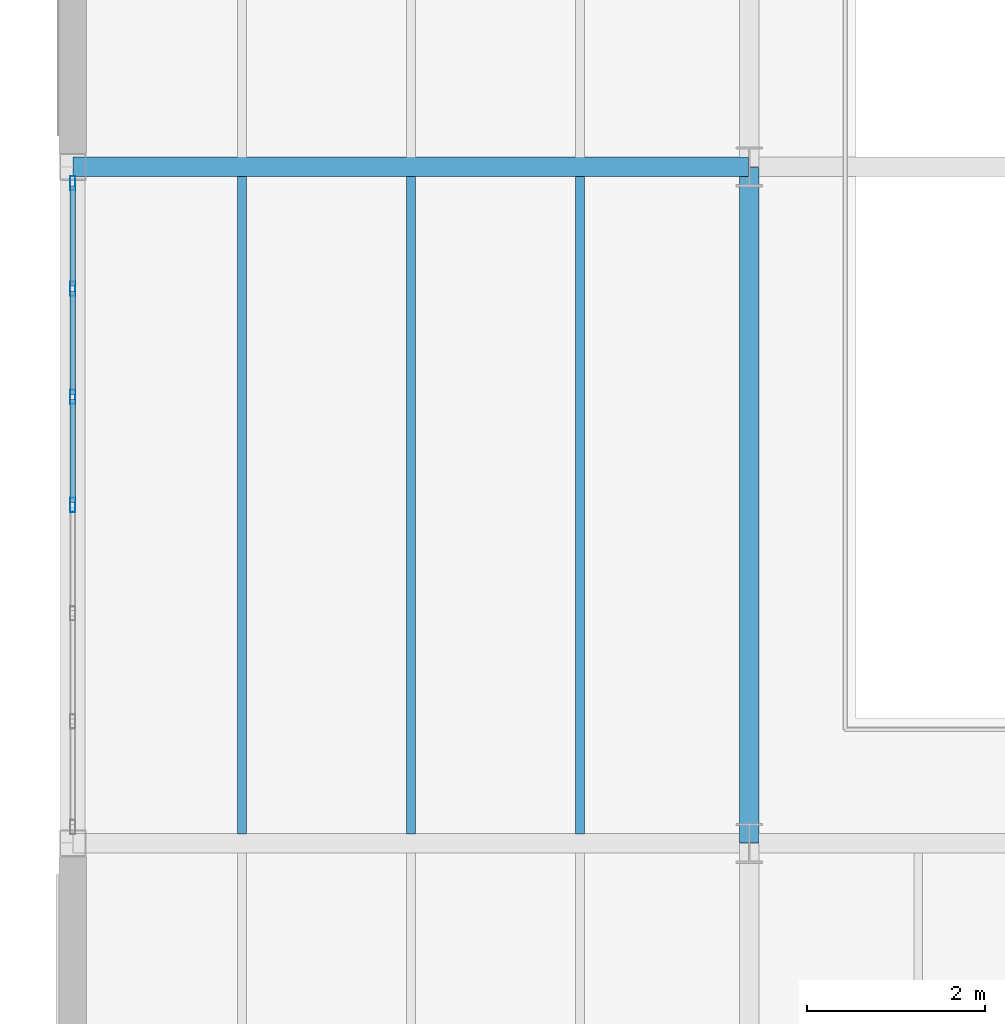
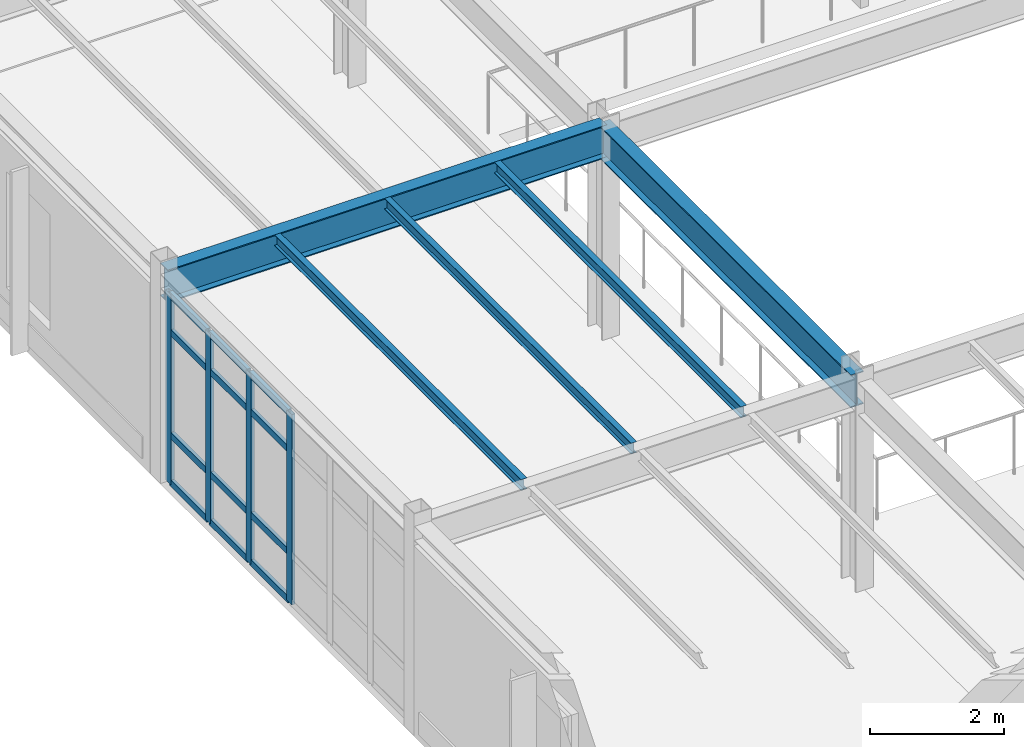
# One storey, part 67 of 165: 16 members, 5 beams, 1 element without a shape of its own.
"""IFC4 building model written with IfcOpenShell, lengths in metres."""

from ifc_helpers import new_model, si_unit, direction, frame, origin, origin_2d, place, context, subcontext, project, spatial, hollow_rectangle, i_section, extrude, material, layer, layer_set, material_profile, profile_set, type_object, element, aggregate, save


model = new_model("IFC4")

# Units and contexts
model_context = context("Model", 3, precision=1e-05, world=origin(), true_north=direction((0.0, 1.0)))
body_context = subcontext(model_context, "Body", "Model", "MODEL_VIEW")
ifc_project = project(units=[si_unit("LENGTHUNIT", "METRE"), si_unit("AREAUNIT", "SQUARE_METRE"), si_unit("VOLUMEUNIT", "CUBIC_METRE"), si_unit("PLANEANGLEUNIT", "RADIAN"), si_unit("MASSUNIT", "GRAM", prefix="KILO")], contexts=[model_context])

# Site, building, storey
site_placement = place(None, origin())
site = spatial("IfcSite", under=ifc_project, at=site_placement, CompositionType="ELEMENT")
building_placement = place(site_placement, origin())
building = spatial("IfcBuilding", under=site, at=building_placement, Name="Montecoro Central Library", CompositionType="ELEMENT")
storey_placement = place(building_placement, frame((0.0, 0.0, 5.10009765625)))
storey = spatial("IfcBuildingStorey", under=building, at=storey_placement, Name="L01", CompositionType="ELEMENT", Elevation=5.10009765625)

# Beams
ifc_material_1 = material(Name="Steel S355J2", Category="steel")
ifc_material_profile_1 = material_profile(ifc_material_1, i_section(OverallWidth=0.219970703125, OverallDepth=0.60009765625, WebThickness=0.011962890625, FlangeThickness=0.01904296875, at=origin_2d()), Name="IPE 600")
ifc_profile_set_1 = profile_set([ifc_material_profile_1], Name="Steel S355J2")
beam_type_1 = type_object("IfcBeamType", Name="BM-G-IPE600", PredefinedType="USERDEFINED", material=ifc_profile_set_1)
for number, where, z_axis, x_axis, name in (
    (1, (5.0048828125, 88.60009765625, 3.52490234375), (1.0, 0.0, 0.0), (0.0, 1.0, 0.0), "V4-L01-BX-12-M"),
    (2, (12.60009765625, 81.0048828125, 3.52490234375), (0.0, 1.0, 0.0), (-1.0, 0.0, 0.0), "V4-L01-BY-2-LM"),
):
    element("IfcBeam", number, at=place(storey_placement, frame(where, z_axis=z_axis, x_axis=x_axis)), inside=storey, type_object=beam_type_1, Name=name, ObjectType="GIRDER", PredefinedType="USERDEFINED", context=body_context, shape_type="SweptSolid", body=[
        extrude(i_section(OverallWidth=0.219970703125, OverallDepth=0.60009765625, WebThickness=0.011962890625, FlangeThickness=0.01904296875, at=origin_2d()), origin(), (0.0, 0.0, 1.0), 7.590087890625),
    ])
ifc_material_2 = material(Name="Steel S355", Category="steel")
ifc_material_profile_2 = material_profile(ifc_material_2, i_section(OverallWidth=0.10009765625, OverallDepth=0.199951171875, WebThickness=0.005615234375, FlangeThickness=0.008544921875, at=origin_2d()), Name="IPE 200")
ifc_profile_set_2 = profile_set([ifc_material_profile_2], Name="Steel S355")
beam_type_2 = type_object("IfcBeamType", Name="BM-J-IPE200", PredefinedType="JOIST", material=ifc_profile_set_2)
for number, where, z_axis, x_axis, name in (
    (3, (6.89990234375, 81.10693359375, 3.724853515625), (0.0, 1.0, 0.0), (-1.0, 0.0, 0.0), "V4-L01-JS-12-LM-1"),
    (4, (8.800048828125, 81.10693359375, 3.724853515625), (0.0, 1.0, 0.0), (-1.0, 0.0, 0.0), "V4-L01-JS-12-LM-2"),
    (5, (10.699951171875, 81.10693359375, 3.724853515625), (0.0, 1.0, 0.0), (-1.0, 0.0, 0.0), "V4-L01-JS-12-LM-3"),
):
    element("IfcBeam", number, at=place(storey_placement, frame(where, z_axis=z_axis, x_axis=x_axis)), inside=storey, type_object=beam_type_2, Name=name, PredefinedType="JOIST", context=body_context, shape_type="SweptSolid", body=[
        extrude(i_section(OverallWidth=0.10009765625, OverallDepth=0.199951171875, WebThickness=0.005615234375, FlangeThickness=0.008544921875, at=origin_2d()), origin(), (0.0, 0.0, 1.0), 7.385986328125),
    ])

# Curtain wall, members
ifc_material_3 = material(Name="Bronze-anodised aluminium and low-E glazing", Category="aluminium")
ifc_layer = layer(ifc_material_3, 0.159912109375)
ifc_layer_set = layer_set([ifc_layer], Name="Bronze-anodised aluminium and low-E glazing")
curtain_wall_type = type_object("IfcCurtainWallType", Name="CWT-045", PredefinedType="NOTDEFINED", material=ifc_layer_set)
curtain_wall_placement = place(storey_placement, origin())
curtain_wall = element("IfcCurtainWall", 6, at=curtain_wall_placement, inside=storey, type_object=curtain_wall_type, Name="V4-L01-CW-W1", PredefinedType="NOTDEFINED")
ifc_material_4 = material(Name="Bronze-anodised aluminium", Category="aluminium")
ifc_material_profile_3 = material_profile(ifc_material_4, hollow_rectangle(XDim=0.06005859375, YDim=0.159912109375, WallThickness=0.00390625, at=origin_2d()), Name="CWM 160x60x4.0")
ifc_profile_set_3 = profile_set([ifc_material_profile_3], Name="Bronze-anodised aluminium")
member_type_1 = type_object("IfcMemberType", Name="CWM-BRZ-60", PredefinedType="MULLION", material=ifc_profile_set_3)
member_1_placement = place(storey_placement, frame((5.0, 88.4169921875, 0.0), z_axis=(0.0, 0.0, 1.0), x_axis=(1.0, 0.0, 0.0)))
member_1 = element("IfcMember", 7, at=member_1_placement, type_object=member_type_1, Name="CW-045 mullion 1", PredefinedType="MULLION", context=body_context, shape_type="SweptSolid", body=[
    extrude(hollow_rectangle(XDim=0.06005859375, YDim=0.159912109375, WallThickness=0.00390625, at=origin_2d()), origin(), (0.0, 0.0, 1.0), 3.47998046875),
])
member_2_placement = place(storey_placement, frame((5.0, 87.2314453125, 0.0), z_axis=(0.0, 0.0, 1.0), x_axis=(1.0, 0.0, 0.0)))
member_2 = element("IfcMember", 8, at=member_2_placement, type_object=member_type_1, Name="CW-045 mullion 2", PredefinedType="MULLION", context=body_context, shape_type="SweptSolid", body=[
    extrude(hollow_rectangle(XDim=0.06005859375, YDim=0.159912109375, WallThickness=0.00390625, at=origin_2d()), origin(), (0.0, 0.0, 1.0), 3.47998046875),
])
member_3_placement = place(storey_placement, frame((5.0, 86.015625, 0.0), z_axis=(0.0, 0.0, 1.0), x_axis=(1.0, 0.0, 0.0)))
member_3 = element("IfcMember", 9, at=member_3_placement, type_object=member_type_1, Name="CW-045 mullion 3", PredefinedType="MULLION", context=body_context, shape_type="SweptSolid", body=[
    extrude(hollow_rectangle(XDim=0.06005859375, YDim=0.159912109375, WallThickness=0.00390625, at=origin_2d()), origin(), (0.0, 0.0, 1.0), 3.47998046875),
])
member_4_placement = place(storey_placement, frame((5.0, 84.800048828125, 0.0), z_axis=(0.0, 0.0, 1.0), x_axis=(1.0, 0.0, 0.0)))
member_4 = element("IfcMember", 10, at=member_4_placement, type_object=member_type_1, Name="CW-045 mullion 4", PredefinedType="MULLION", context=body_context, shape_type="SweptSolid", body=[
    extrude(hollow_rectangle(XDim=0.06005859375, YDim=0.159912109375, WallThickness=0.00390625, at=origin_2d()), origin(), (0.0, 0.0, 1.0), 3.47998046875),
])
ifc_material_profile_4 = material_profile(ifc_material_4, hollow_rectangle(XDim=0.06005859375, YDim=0.1201171875, WallThickness=0.00390625, at=origin_2d()), Name="CWT 120x60x4.0")
ifc_profile_set_4 = profile_set([ifc_material_profile_4], Name="Bronze-anodised aluminium")
member_type_2 = type_object("IfcMemberType", Name="CWT-BRZ-60", PredefinedType="USERDEFINED", material=ifc_profile_set_4)
member_5_placement = place(storey_placement, frame((5.0, 88.386962890625, 0.02978515625), z_axis=(0.0, -1.0, 0.0), x_axis=(1.0, 0.0, 0.0)))
member_5 = element("IfcMember", 11, at=member_5_placement, type_object=member_type_2, Name="CW-045 transom 1.1", ObjectType="TRANSOM", PredefinedType="USERDEFINED", context=body_context, shape_type="SweptSolid", body=[
    extrude(hollow_rectangle(XDim=0.06005859375, YDim=0.1201171875, WallThickness=0.00390625, at=origin_2d()), origin(), (0.0, 0.0, 1.0), 1.125732421875),
])
member_6_placement = place(storey_placement, frame((5.0, 88.386962890625, 0.89990234375), z_axis=(0.0, -1.0, 0.0), x_axis=(1.0, 0.0, 0.0)))
member_6 = element("IfcMember", 12, at=member_6_placement, type_object=member_type_2, Name="CW-045 transom 1.2", ObjectType="TRANSOM", PredefinedType="USERDEFINED", context=body_context, shape_type="SweptSolid", body=[
    extrude(hollow_rectangle(XDim=0.06005859375, YDim=0.1201171875, WallThickness=0.00390625, at=origin_2d()), origin(), (0.0, 0.0, 1.0), 1.125732421875),
])
member_7_placement = place(storey_placement, frame((5.0, 88.386962890625, 2.77978515625), z_axis=(0.0, -1.0, 0.0), x_axis=(1.0, 0.0, 0.0)))
member_7 = element("IfcMember", 13, at=member_7_placement, type_object=member_type_2, Name="CW-045 transom 1.3", ObjectType="TRANSOM", PredefinedType="USERDEFINED", context=body_context, shape_type="SweptSolid", body=[
    extrude(hollow_rectangle(XDim=0.06005859375, YDim=0.1201171875, WallThickness=0.00390625, at=origin_2d()), origin(), (0.0, 0.0, 1.0), 1.125732421875),
])
member_8_placement = place(storey_placement, frame((5.0, 88.386962890625, 3.449951171875), z_axis=(0.0, -1.0, 0.0), x_axis=(1.0, 0.0, 0.0)))
member_8 = element("IfcMember", 14, at=member_8_placement, type_object=member_type_2, Name="CW-045 transom 1.4", ObjectType="TRANSOM", PredefinedType="USERDEFINED", context=body_context, shape_type="SweptSolid", body=[
    extrude(hollow_rectangle(XDim=0.06005859375, YDim=0.1201171875, WallThickness=0.00390625, at=origin_2d()), origin(), (0.0, 0.0, 1.0), 1.125732421875),
])
member_9_placement = place(storey_placement, frame((5.0, 87.201416015625, 0.02978515625), z_axis=(0.0, -1.0, 0.0), x_axis=(1.0, 0.0, 0.0)))
member_9 = element("IfcMember", 15, at=member_9_placement, type_object=member_type_2, Name="CW-045 transom 2.1", ObjectType="TRANSOM", PredefinedType="USERDEFINED", context=body_context, shape_type="SweptSolid", body=[
    extrude(hollow_rectangle(XDim=0.06005859375, YDim=0.1201171875, WallThickness=0.00390625, at=origin_2d()), origin(), (0.0, 0.0, 1.0), 1.15576171875),
])
member_10_placement = place(storey_placement, frame((5.0, 87.201416015625, 0.89990234375), z_axis=(0.0, -1.0, 0.0), x_axis=(1.0, 0.0, 0.0)))
member_10 = element("IfcMember", 16, at=member_10_placement, type_object=member_type_2, Name="CW-045 transom 2.2", ObjectType="TRANSOM", PredefinedType="USERDEFINED", context=body_context, shape_type="SweptSolid", body=[
    extrude(hollow_rectangle(XDim=0.06005859375, YDim=0.1201171875, WallThickness=0.00390625, at=origin_2d()), origin(), (0.0, 0.0, 1.0), 1.15576171875),
])
member_11_placement = place(storey_placement, frame((5.0, 87.201416015625, 2.77978515625), z_axis=(0.0, -1.0, 0.0), x_axis=(1.0, 0.0, 0.0)))
member_11 = element("IfcMember", 17, at=member_11_placement, type_object=member_type_2, Name="CW-045 transom 2.3", ObjectType="TRANSOM", PredefinedType="USERDEFINED", context=body_context, shape_type="SweptSolid", body=[
    extrude(hollow_rectangle(XDim=0.06005859375, YDim=0.1201171875, WallThickness=0.00390625, at=origin_2d()), origin(), (0.0, 0.0, 1.0), 1.15576171875),
])
member_12_placement = place(storey_placement, frame((5.0, 87.201416015625, 3.449951171875), z_axis=(0.0, -1.0, 0.0), x_axis=(1.0, 0.0, 0.0)))
member_12 = element("IfcMember", 18, at=member_12_placement, type_object=member_type_2, Name="CW-045 transom 2.4", ObjectType="TRANSOM", PredefinedType="USERDEFINED", context=body_context, shape_type="SweptSolid", body=[
    extrude(hollow_rectangle(XDim=0.06005859375, YDim=0.1201171875, WallThickness=0.00390625, at=origin_2d()), origin(), (0.0, 0.0, 1.0), 1.15576171875),
])
member_13_placement = place(storey_placement, frame((5.0, 85.985595703125, 0.02978515625), z_axis=(0.0, -1.0, 0.0), x_axis=(1.0, 0.0, 0.0)))
member_13 = element("IfcMember", 19, at=member_13_placement, type_object=member_type_2, Name="CW-045 transom 3.1", ObjectType="TRANSOM", PredefinedType="USERDEFINED", context=body_context, shape_type="SweptSolid", body=[
    extrude(hollow_rectangle(XDim=0.06005859375, YDim=0.1201171875, WallThickness=0.00390625, at=origin_2d()), origin(), (0.0, 0.0, 1.0), 1.155517578125),
])
member_14_placement = place(storey_placement, frame((5.0, 85.985595703125, 0.89990234375), z_axis=(0.0, -1.0, 0.0), x_axis=(1.0, 0.0, 0.0)))
member_14 = element("IfcMember", 20, at=member_14_placement, type_object=member_type_2, Name="CW-045 transom 3.2", ObjectType="TRANSOM", PredefinedType="USERDEFINED", context=body_context, shape_type="SweptSolid", body=[
    extrude(hollow_rectangle(XDim=0.06005859375, YDim=0.1201171875, WallThickness=0.00390625, at=origin_2d()), origin(), (0.0, 0.0, 1.0), 1.155517578125),
])
member_15_placement = place(storey_placement, frame((5.0, 85.985595703125, 2.77978515625), z_axis=(0.0, -1.0, 0.0), x_axis=(1.0, 0.0, 0.0)))
member_15 = element("IfcMember", 21, at=member_15_placement, type_object=member_type_2, Name="CW-045 transom 3.3", ObjectType="TRANSOM", PredefinedType="USERDEFINED", context=body_context, shape_type="SweptSolid", body=[
    extrude(hollow_rectangle(XDim=0.06005859375, YDim=0.1201171875, WallThickness=0.00390625, at=origin_2d()), origin(), (0.0, 0.0, 1.0), 1.155517578125),
])
member_16_placement = place(storey_placement, frame((5.0, 85.985595703125, 3.449951171875), z_axis=(0.0, -1.0, 0.0), x_axis=(1.0, 0.0, 0.0)))
member_16 = element("IfcMember", 22, at=member_16_placement, type_object=member_type_2, Name="CW-045 transom 3.4", ObjectType="TRANSOM", PredefinedType="USERDEFINED", context=body_context, shape_type="SweptSolid", body=[
    extrude(hollow_rectangle(XDim=0.06005859375, YDim=0.1201171875, WallThickness=0.00390625, at=origin_2d()), origin(), (0.0, 0.0, 1.0), 1.155517578125),
])
aggregate(curtain_wall, [member_1, member_2, member_3, member_4, member_5, member_6, member_7, member_8, member_9, member_10, member_11, member_12, member_13, member_14, member_15, member_16])

save(model, "model.ifc")
